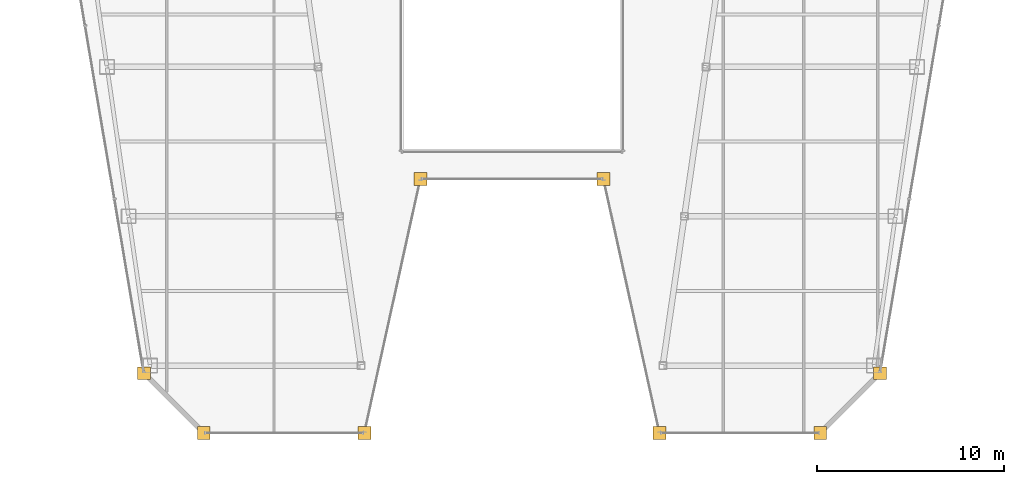
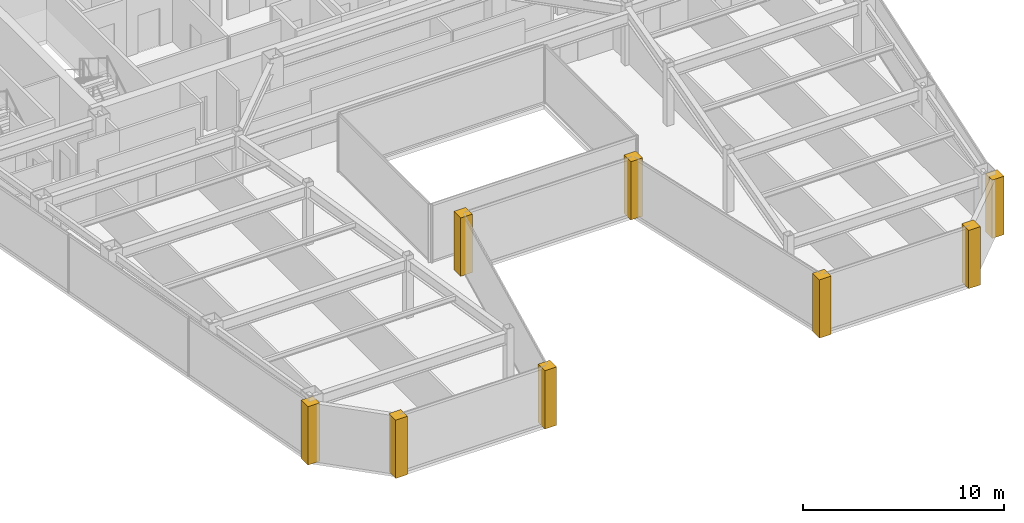
# One storey, part 34 of 36: 8 coverings.
"""IFC4 building model written with IfcOpenShell, lengths in metres."""

from ifc_helpers import new_model, si_unit, direction, frame, origin, place, context, subcontext, project, spatial, polyline, outline, extrude, material, layer, layer_set, type_object, element, save


model = new_model("IFC4")

# Units and contexts
model_context = context("Model", 3, precision=1e-05, world=origin(), true_north=direction((0.0, 1.0)))
body_context = subcontext(model_context, "Body", "Model", "MODEL_VIEW")
ifc_project = project(units=[si_unit("LENGTHUNIT", "METRE"), si_unit("AREAUNIT", "SQUARE_METRE"), si_unit("VOLUMEUNIT", "CUBIC_METRE"), si_unit("PLANEANGLEUNIT", "RADIAN"), si_unit("MASSUNIT", "GRAM", prefix="KILO")], contexts=[model_context])

# Site, building, storey
site_placement = place(None, origin())
site = spatial("IfcSite", under=ifc_project, at=site_placement, CompositionType="ELEMENT")
building_placement = place(site_placement, origin())
building = spatial("IfcBuilding", under=site, at=building_placement, Name="Saevonmaru Cultural Tower", CompositionType="ELEMENT")
storey_placement = place(building_placement, frame((0.0, 0.0, 209.39990234375)))
storey = spatial("IfcBuildingStorey", under=building, at=storey_placement, Name="L48", CompositionType="ELEMENT", Elevation=209.39990234375)

# Coverings
ifc_material = material(Name="Satin Bronze Anodised Aluminium", Category="aluminium")
ifc_layer = layer(ifc_material, 0.679931640625, Name="Satin Bronze Anodised Aluminium")
ifc_layer_set = layer_set([ifc_layer], Name="Satin Bronze Anodised Aluminium")
covering_type = type_object("IfcCoveringType", Name="CV-CORNER-CLAD", PredefinedType="CLADDING", material=ifc_layer_set)
covering_1_placement = place(storey_placement, origin())
element("IfcCovering", 1, at=covering_1_placement, inside=storey, type_object=covering_type, Name="L48 Tower Bronze Corner Cladding Pier 1", PredefinedType="CLADDING", context=body_context, shape_type="SweptSolid", body=[
    extrude(outline(polyline([(9.9580078125, 15.260009765625), (10.637939453125, 15.260009765625), (10.637939453125, 15.93994140625), (9.9580078125, 15.93994140625), (9.9580078125, 15.260009765625)])), origin(), (0.0, 0.0, 1.0), 3.550048828125),
])
covering_2_placement = place(storey_placement, origin())
element("IfcCovering", 2, at=covering_2_placement, inside=storey, type_object=covering_type, Name="L48 Tower Bronze Corner Cladding Pier 2", PredefinedType="CLADDING", context=body_context, shape_type="SweptSolid", body=[
    extrude(outline(polyline([(13.157958984375, 12.06005859375), (13.837890625, 12.06005859375), (13.837890625, 12.739990234375), (13.157958984375, 12.739990234375), (13.157958984375, 12.06005859375)])), origin(), (0.0, 0.0, 1.0), 3.550048828125),
])
covering_3_placement = place(storey_placement, origin())
element("IfcCovering", 3, at=covering_3_placement, inside=storey, type_object=covering_type, Name="L48 Tower Bronze Corner Cladding Pier 3", PredefinedType="CLADDING", context=body_context, shape_type="SweptSolid", body=[
    extrude(outline(polyline([(21.758056640625, 12.06005859375), (22.43798828125, 12.06005859375), (22.43798828125, 12.739990234375), (21.758056640625, 12.739990234375), (21.758056640625, 12.06005859375)])), origin(), (0.0, 0.0, 1.0), 3.550048828125),
])
covering_4_placement = place(storey_placement, origin())
element("IfcCovering", 4, at=covering_4_placement, inside=storey, type_object=covering_type, Name="L48 Tower Bronze Corner Cladding Pier 4", PredefinedType="CLADDING", context=body_context, shape_type="SweptSolid", body=[
    extrude(outline(polyline([(24.758056640625, 25.659912109375), (25.43798828125, 25.659912109375), (25.43798828125, 26.340087890625), (24.758056640625, 26.340087890625), (24.758056640625, 25.659912109375)])), origin(), (0.0, 0.0, 1.0), 3.550048828125),
])
covering_5_placement = place(storey_placement, origin())
element("IfcCovering", 5, at=covering_5_placement, inside=storey, type_object=covering_type, Name="L48 Tower Bronze Corner Cladding Pier 5", PredefinedType="CLADDING", context=body_context, shape_type="SweptSolid", body=[
    extrude(outline(polyline([(34.56201171875, 25.659912109375), (35.241943359375, 25.659912109375), (35.241943359375, 26.340087890625), (34.56201171875, 26.340087890625), (34.56201171875, 25.659912109375)])), origin(), (0.0, 0.0, 1.0), 3.550048828125),
])
covering_6_placement = place(storey_placement, origin())
element("IfcCovering", 6, at=covering_6_placement, inside=storey, type_object=covering_type, Name="L48 Tower Bronze Corner Cladding Pier 6", PredefinedType="CLADDING", context=body_context, shape_type="SweptSolid", body=[
    extrude(outline(polyline([(37.56201171875, 12.06005859375), (38.241943359375, 12.06005859375), (38.241943359375, 12.739990234375), (37.56201171875, 12.739990234375), (37.56201171875, 12.06005859375)])), origin(), (0.0, 0.0, 1.0), 3.550048828125),
])
covering_7_placement = place(storey_placement, origin())
element("IfcCovering", 7, at=covering_7_placement, inside=storey, type_object=covering_type, Name="L48 Tower Bronze Corner Cladding Pier 7", PredefinedType="CLADDING", context=body_context, shape_type="SweptSolid", body=[
    extrude(outline(polyline([(46.162109375, 12.06005859375), (46.842041015625, 12.06005859375), (46.842041015625, 12.739990234375), (46.162109375, 12.739990234375), (46.162109375, 12.06005859375)])), origin(), (0.0, 0.0, 1.0), 3.550048828125),
])
covering_8_placement = place(storey_placement, origin())
element("IfcCovering", 8, at=covering_8_placement, inside=storey, type_object=covering_type, Name="L48 Tower Bronze Corner Cladding Pier 8", PredefinedType="CLADDING", context=body_context, shape_type="SweptSolid", body=[
    extrude(outline(polyline([(49.362060546875, 15.260009765625), (50.0419921875, 15.260009765625), (50.0419921875, 15.93994140625), (49.362060546875, 15.93994140625), (49.362060546875, 15.260009765625)])), origin(), (0.0, 0.0, 1.0), 3.550048828125),
])

save(model, "model.ifc")
